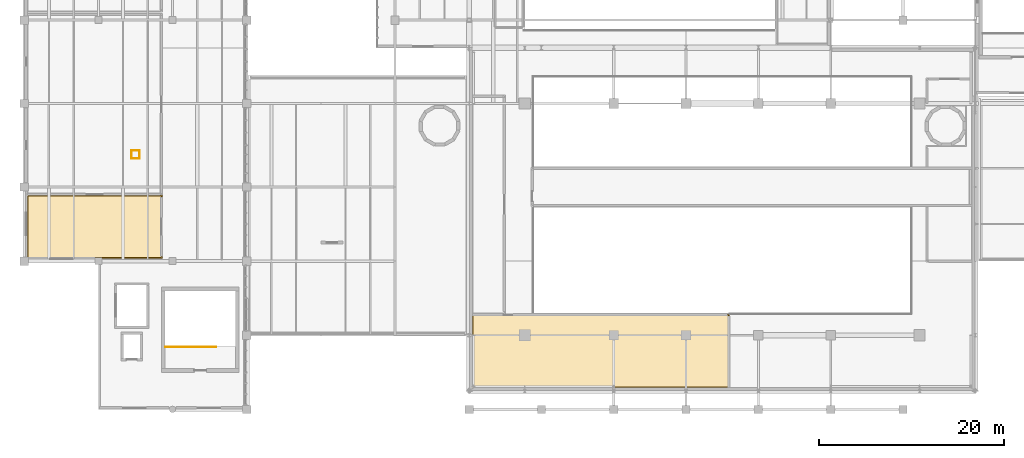
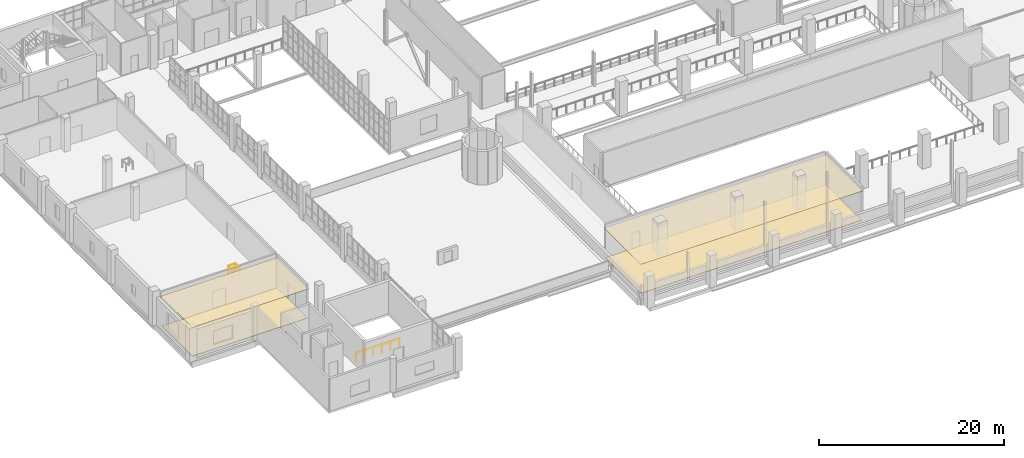
# One storey, part 82 of 85: 5 railings, 4 coverings.
"""IFC4 building model written with IfcOpenShell, lengths in metres."""

from ifc_helpers import new_model, si_unit, derived_unit, direction, frame, origin, origin_2d, place, context, subcontext, project, spatial, polyline, circle, outline, extrude, material, layer, layer_set, type_object, element, save


model = new_model("IFC4")

# Units and contexts
model_context = context("Model", 3, precision=1e-05, world=origin(), true_north=direction((0.0, 1.0)))
body_context = subcontext(model_context, "Body", "Model", "MODEL_VIEW")
ifc_project = project(units=[si_unit("LENGTHUNIT", "METRE"), si_unit("AREAUNIT", "SQUARE_METRE"), si_unit("VOLUMEUNIT", "CUBIC_METRE"), si_unit("PLANEANGLEUNIT", "RADIAN"), si_unit("MASSUNIT", "GRAM", prefix="KILO"), derived_unit("THERMALTRANSMITTANCEUNIT", [(si_unit("POWERUNIT", "WATT"), 1), (si_unit("LENGTHUNIT", "METRE"), -2), (si_unit("THERMODYNAMICTEMPERATUREUNIT", "KELVIN"), -1)])], contexts=[model_context])

# Site, building, storey
site_placement = place(None, origin())
site = spatial("IfcSite", under=ifc_project, at=site_placement, CompositionType="ELEMENT")
building_placement = place(site_placement, origin())
building = spatial("IfcBuilding", under=site, at=building_placement, Name="Nallur Shell Playhouse", CompositionType="ELEMENT")
storey_placement = place(building_placement, frame((0.0, 0.0, 19.800048828125)))
storey = spatial("IfcBuildingStorey", under=building, at=storey_placement, Name="L05", CompositionType="ELEMENT", Elevation=19.800048828125)

# Coverings
ifc_material_1 = material(Name="Micro-Perforated Teak Veneer Acoustic Baffle Ceiling")
ifc_layer_1 = layer(ifc_material_1, 0.044921875)
ifc_layer_set_1 = layer_set([ifc_layer_1], Name="Micro-Perforated Teak Veneer Acoustic Baffle Ceiling")
covering_type_1 = type_object("IfcCoveringType", Name="CV-CEIL-AC1", PredefinedType="CEILING", material=ifc_layer_set_1)
covering_1_placement = place(storey_placement, frame((0.0, 0.0, 3.905029296875)))
element("IfcCovering", 1, at=covering_1_placement, inside=storey, type_object=covering_type_1, Name="Individual Acoustic Practice Studio 03 suspended acoustic ceiling", PredefinedType="CEILING", context=body_context, shape_type="SweptSolid", body=[
    extrude(outline(polyline([(30.909912109375, 24.2900390625), (16.2900390625, 24.2900390625), (16.2900390625, 31.110107421875), (30.909912109375, 31.110107421875), (30.909912109375, 24.2900390625)])), origin(), (0.0, 0.0, 1.0), 0.044921875),
])
ifc_material_2 = material(Name="Mineral-Fibre High-NRC Suspended Ceiling Tile")
ifc_layer_2 = layer(ifc_material_2, 0.030029296875)
ifc_layer_set_2 = layer_set([ifc_layer_2], Name="Mineral-Fibre High-NRC Suspended Ceiling Tile")
covering_type_2 = type_object("IfcCoveringType", Name="CV-CEIL-AC2", PredefinedType="CEILING", material=ifc_layer_set_2)
covering_2_placement = place(storey_placement, frame((0.0, 0.0, 3.919921875)))
element("IfcCovering", 2, at=covering_2_placement, inside=storey, type_object=covering_type_2, Name="Main Auditorium Displacement Supply AHU Plant suspended acoustic ceiling", PredefinedType="CEILING", context=body_context, shape_type="SweptSolid", body=[
    extrude(outline(polyline([(92.110107421875, 10.2900390625), (64.2900390625, 10.2900390625), (64.2900390625, 18.31005859375), (92.110107421875, 18.31005859375), (92.110107421875, 10.2900390625)])), origin(), (0.0, 0.0, 1.0), 0.030029296875),
])
ifc_material_3 = material(Name="Polished Chettinad Oxide & White Marble Terrazzo Flooring", Category="masonry")
ifc_layer_3 = layer(ifc_material_3, 0.050048828125)
ifc_layer_set_3 = layer_set([ifc_layer_3], Name="Polished Chettinad Oxide & White Marble Terrazzo Flooring")
covering_type_3 = type_object("IfcCoveringType", Name="CV-FLOR-TERRAZZO", PredefinedType="FLOORING", material=ifc_layer_set_3)
covering_3_placement = place(storey_placement, origin())
element("IfcCovering", 3, at=covering_3_placement, inside=storey, type_object=covering_type_3, Name="Main Auditorium Displacement Supply AHU Plant floor finish", PredefinedType="FLOORING", context=body_context, shape_type="SweptSolid", body=[
    extrude(outline(polyline([(92.0, 10.39990234375), (64.39990234375, 10.39990234375), (64.39990234375, 18.199951171875), (92.0, 18.199951171875), (92.0, 10.39990234375)])), origin(), (0.0, 0.0, 1.0), 0.050048828125),
])
ifc_material_4 = material(Name="Sprung Semi-Resilient Stage & Dance Hardwood Flooring", Category="wood")
ifc_layer_4 = layer(ifc_material_4, 0.054931640625)
ifc_layer_set_4 = layer_set([ifc_layer_4], Name="Sprung Semi-Resilient Stage & Dance Hardwood Flooring")
covering_type_4 = type_object("IfcCoveringType", Name="CV-FLOR-TIMBER", PredefinedType="FLOORING", material=ifc_layer_set_4)
covering_4_placement = place(storey_placement, origin())
element("IfcCovering", 4, at=covering_4_placement, inside=storey, type_object=covering_type_4, Name="Individual Acoustic Practice Studio 03 floor finish", PredefinedType="FLOORING", context=body_context, shape_type="SweptSolid", body=[
    extrude(outline(polyline([(30.800048828125, 24.39990234375), (16.39990234375, 24.39990234375), (16.39990234375, 31.0), (30.800048828125, 31.0), (30.800048828125, 24.39990234375)])), origin(), (0.0, 0.0, 1.0), 0.054931640625),
])

# Railings
ifc_material_5 = material(Name="Brushed Stainless Steel 316 Balustrade & Toughened Infill", Category="steel")
railing_type = type_object("IfcRailingType", Name="RL-GUARD-1100", PredefinedType="BALUSTRADE", material=ifc_material_5)
railing_1_placement = place(storey_placement, frame((31.239990234375, 14.739990234375, 0.0)))
element("IfcRailing", 5, at=railing_1_placement, inside=storey, type_object=railing_type, Name="Stair ST-01 top landing guardrail (L05)", PredefinedType="BALUSTRADE", context=body_context, shape_type="SweptSolid", body=[
    extrude(circle(Radius=0.02392578125, at=origin_2d()), frame((0.0, 0.0, 1.1357421875), z_axis=(1.0, 0.0, 0.0), x_axis=(0.0, 1.0, 0.0)), (0.0, 0.0, 1.0), 5.43994140625),
    extrude(circle(Radius=0.02099609375, at=origin_2d()), origin(), (0.0, 0.0, 1.0), 1.11181640625),
    extrude(circle(Radius=0.02099609375, at=origin_2d()), frame((1.087890625, 0.0, 0.0)), (0.0, 0.0, 1.0), 1.11181640625),
    extrude(circle(Radius=0.02099609375, at=origin_2d()), frame((2.176025390625, 0.0, 0.0)), (0.0, 0.0, 1.0), 1.11181640625),
    extrude(circle(Radius=0.02099609375, at=origin_2d()), frame((3.263916015625, 0.0, 0.0)), (0.0, 0.0, 1.0), 1.11181640625),
    extrude(circle(Radius=0.02099609375, at=origin_2d()), frame((4.35205078125, 0.0, 0.0)), (0.0, 0.0, 1.0), 1.11181640625),
    extrude(circle(Radius=0.02099609375, at=origin_2d()), frame((5.43994140625, 0.0, 0.0)), (0.0, 0.0, 1.0), 1.11181640625),
])
railing_2_placement = place(storey_placement, frame((27.570068359375, 35.070068359375, 0.0)))
element("IfcRailing", 6, at=railing_2_placement, inside=storey, type_object=railing_type, Name="L05 service riser edge guard 095", PredefinedType="BALUSTRADE", context=body_context, shape_type="SweptSolid", body=[
    extrude(circle(Radius=0.02392578125, at=origin_2d()), frame((0.0, 0.0, 1.09619140625), z_axis=(1.0, 0.0, 0.0), x_axis=(0.0, 1.0, 0.0)), (0.0, 0.0, 1.0), 0.85986328125),
    extrude(circle(Radius=0.02099609375, at=origin_2d()), origin(), (0.0, 0.0, 1.0), 1.072021484375),
    extrude(circle(Radius=0.02099609375, at=origin_2d()), frame((0.85986328125, 0.0, 0.0)), (0.0, 0.0, 1.0), 1.072021484375),
])
railing_3_placement = place(storey_placement, frame((28.429931640625, 35.070068359375, 0.0)))
element("IfcRailing", 7, at=railing_3_placement, inside=storey, type_object=railing_type, Name="L05 service riser edge guard 096", PredefinedType="BALUSTRADE", context=body_context, shape_type="SweptSolid", body=[
    extrude(circle(Radius=0.02392578125, at=origin_2d()), frame((0.0, 0.0, 1.09619140625), z_axis=(0.0, 1.0, 0.0), x_axis=(-1.0, 0.0, 0.0)), (0.0, 0.0, 1.0), 0.85986328125),
    extrude(circle(Radius=0.02099609375, at=origin_2d()), origin(), (0.0, 0.0, 1.0), 1.072021484375),
    extrude(circle(Radius=0.02099609375, at=origin_2d()), frame((0.0, 0.85986328125, 0.0)), (0.0, 0.0, 1.0), 1.072021484375),
])
railing_4_placement = place(storey_placement, frame((28.429931640625, 35.929931640625, 0.0)))
element("IfcRailing", 8, at=railing_4_placement, inside=storey, type_object=railing_type, Name="L05 service riser edge guard 097", PredefinedType="BALUSTRADE", context=body_context, shape_type="SweptSolid", body=[
    extrude(circle(Radius=0.02392578125, at=origin_2d()), frame((0.0, 0.0, 1.09619140625), z_axis=(-1.0, 0.0, 0.0), x_axis=(0.0, -1.0, 0.0)), (0.0, 0.0, 1.0), 0.85986328125),
    extrude(circle(Radius=0.02099609375, at=origin_2d()), origin(), (0.0, 0.0, 1.0), 1.072021484375),
    extrude(circle(Radius=0.02099609375, at=origin_2d()), frame((-0.85986328125, 0.0, 0.0)), (0.0, 0.0, 1.0), 1.072021484375),
])
railing_5_placement = place(storey_placement, frame((27.570068359375, 35.929931640625, 0.0)))
element("IfcRailing", 9, at=railing_5_placement, inside=storey, type_object=railing_type, Name="L05 service riser edge guard 098", PredefinedType="BALUSTRADE", context=body_context, shape_type="SweptSolid", body=[
    extrude(circle(Radius=0.02392578125, at=origin_2d()), frame((0.0, 0.0, 1.09619140625), z_axis=(0.0, -1.0, 0.0), x_axis=(1.0, 0.0, 0.0)), (0.0, 0.0, 1.0), 0.85986328125),
    extrude(circle(Radius=0.02099609375, at=origin_2d()), origin(), (0.0, 0.0, 1.0), 1.072021484375),
    extrude(circle(Radius=0.02099609375, at=origin_2d()), frame((0.0, -0.85986328125, 0.0)), (0.0, 0.0, 1.0), 1.072021484375),
])

save(model, "model.ifc")
